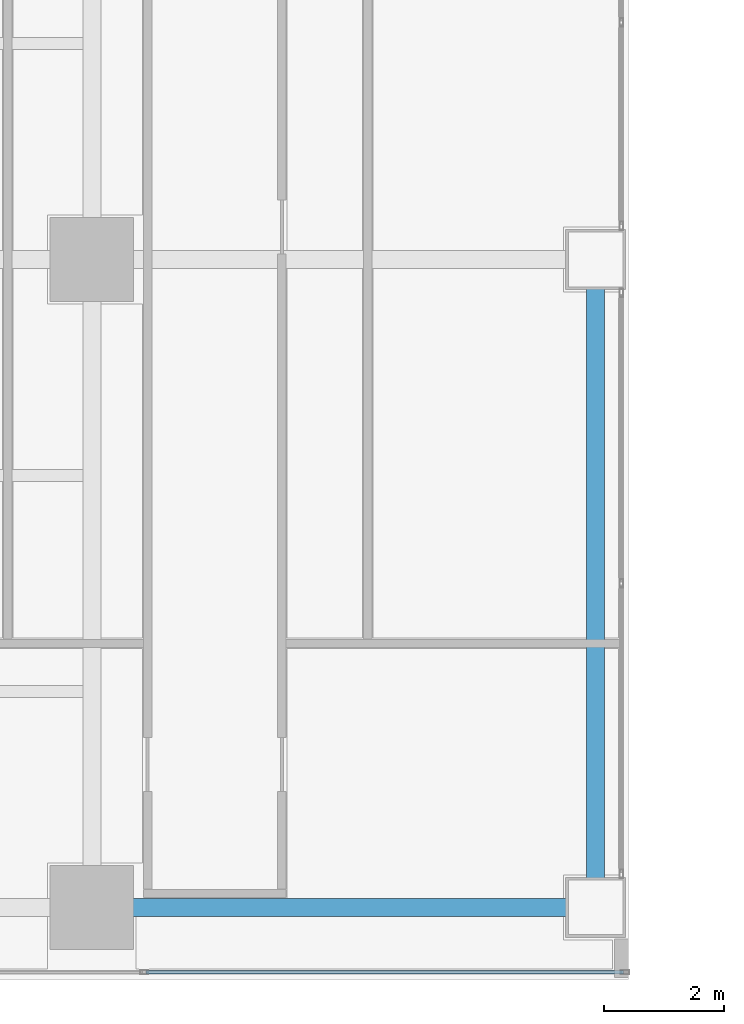
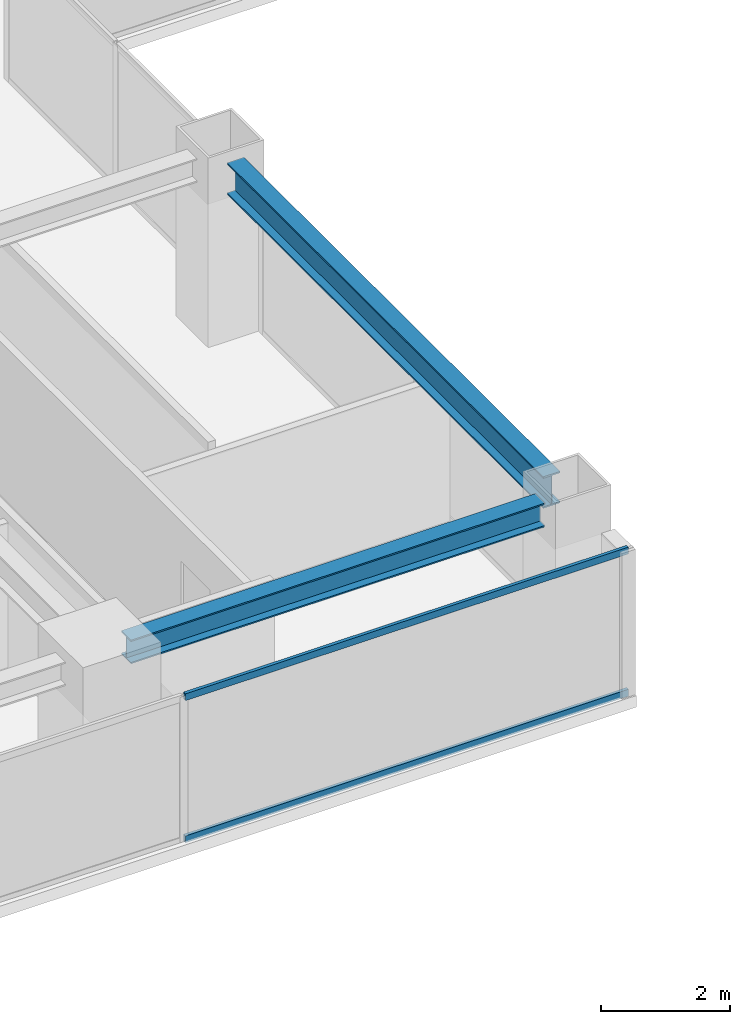
# One storey, part 3 of 29: 2 beams, 2 members, 1 element without a shape of its own.
"""IFC4 building model written with IfcOpenShell, lengths in metres."""

from ifc_helpers import new_model, si_unit, direction, frame, origin, origin_2d, place, context, subcontext, project, spatial, hollow_rectangle, i_section, extrude, source, transform, mapped, material, layer, layer_set, material_profile, profile_set, type_object, element, aggregate, save


model = new_model("IFC4")

# Units and contexts
model_context = context("Model", 3, precision=1e-05, world=origin(), true_north=direction((0.0, 1.0)))
body_context = subcontext(model_context, "Body", "Model", "MODEL_VIEW")
ifc_project = project(units=[si_unit("LENGTHUNIT", "METRE"), si_unit("AREAUNIT", "SQUARE_METRE"), si_unit("VOLUMEUNIT", "CUBIC_METRE"), si_unit("PLANEANGLEUNIT", "RADIAN"), si_unit("MASSUNIT", "GRAM", prefix="KILO")], contexts=[model_context])

# Site, building, storey
site_placement = place(None, origin())
site = spatial("IfcSite", under=ifc_project, at=site_placement, CompositionType="ELEMENT")
building_placement = place(site_placement, origin())
building = spatial("IfcBuilding", under=site, at=building_placement, Name="Sumidabori Civic Tower", CompositionType="ELEMENT")
storey_placement = place(building_placement, frame((0.0, 0.0, 203.60009765625)))
storey = spatial("IfcBuildingStorey", under=building, at=storey_placement, Name="L52", CompositionType="ELEMENT", Elevation=203.60009765625)

# Beams
ifc_material_1 = material(Name="Steel SN490", Category="steel")
ifc_material_profile_1 = material_profile(ifc_material_1, i_section(OverallWidth=0.300048828125, OverallDepth=0.60009765625, WebThickness=0.015380859375, FlangeThickness=0.030029296875, at=origin_2d()), Name="HE 600 B")
ifc_profile_set_1 = profile_set([ifc_material_profile_1], Name="Steel SN490")
beam_type_1 = type_object("IfcBeamType", Name="BM-GIRD-600", PredefinedType="BEAM", material=ifc_profile_set_1)
shared_shape_1 = source(origin(), body_context, "Body", "SweptSolid", [
    extrude(i_section(OverallWidth=0.300048828125, OverallDepth=0.60009765625, WebThickness=0.015380859375, FlangeThickness=0.030029296875, at=origin_2d()), origin(), (0.0, 0.0, 1.0), 9.840087890625),
])
beam_1_placement = place(storey_placement, frame((-8.39990234375, -10.320068359375, 3.079833984375), z_axis=(0.0, 1.0, 0.0), x_axis=(-1.0, 0.0, 0.0)))
element("IfcBeam", 1, at=beam_1_placement, inside=storey, type_object=beam_type_1, Name="Primary Girder L52 GY-17", PredefinedType="BEAM", context=body_context, shape_type="MappedRepresentation", body=[
    mapped(shared_shape_1, transform((0.0, 0.0, 0.0), x_axis=(1.0, 0.0, 0.0), y_axis=(0.0, 1.0, 0.0), z_axis=(0.0, 0.0, 1.0), scale=1.0)),
])
ifc_material_profile_2 = material_profile(ifc_material_1, i_section(OverallWidth=0.300048828125, OverallDepth=0.449951171875, WebThickness=0.013916015625, FlangeThickness=0.02587890625, at=origin_2d()), Name="HE 450 B")
ifc_profile_set_2 = profile_set([ifc_material_profile_2], Name="Steel SN490")
beam_type_2 = type_object("IfcBeamType", Name="BM-GIRD-450", PredefinedType="BEAM", material=ifc_profile_set_2)
shared_shape_2 = source(origin(), body_context, "Body", "SweptSolid", [
    extrude(i_section(OverallWidth=0.300048828125, OverallDepth=0.449951171875, WebThickness=0.013916015625, FlangeThickness=0.02587890625, at=origin_2d()), origin(), (0.0, 0.0, 1.0), 7.440185546875),
])
beam_2_placement = place(storey_placement, frame((-16.320068359375, -10.800048828125, 3.15478515625), z_axis=(1.0, 0.0, 0.0), x_axis=(0.0, 1.0, 0.0)))
element("IfcBeam", 2, at=beam_2_placement, inside=storey, type_object=beam_type_2, Name="Primary Girder L52 GX-02", PredefinedType="BEAM", context=body_context, shape_type="MappedRepresentation", body=[
    mapped(shared_shape_2, transform((0.0, 0.0, 0.0), x_axis=(1.0, 0.0, 0.0), y_axis=(0.0, 1.0, 0.0), z_axis=(0.0, 0.0, 1.0), scale=1.0)),
])

# Curtain wall, members
ifc_material_2 = material(Name="Anodised Bronze Aluminium AW-6063-T6", Category="aluminium")
ifc_layer = layer(ifc_material_2, 0.179931640625, Name="Anodised Bronze Aluminium AW-6063-T6")
ifc_layer_set = layer_set([ifc_layer], Name="Anodised Bronze Aluminium AW-6063-T6")
curtain_wall_type = type_object("IfcCurtainWallType", Name="CW-SYS-5", PredefinedType="NOTDEFINED", material=ifc_layer_set)
curtain_wall_placement = place(storey_placement, origin())
curtain_wall = element("IfcCurtainWall", 3, at=curtain_wall_placement, inside=storey, type_object=curtain_wall_type, Name="Curtain Wall CW:L52:R01", PredefinedType="NOTDEFINED")
ifc_material_profile_3 = material_profile(ifc_material_2, hollow_rectangle(XDim=0.06005859375, YDim=0.1298828125, WallThickness=0.0048828125, at=origin_2d()), Name="ALU TRANSOM 130x60")
ifc_profile_set_3 = profile_set([ifc_material_profile_3], Name="Anodised Bronze Aluminium AW-6063-T6")
member_type = type_object("IfcMemberType", Name="CW-TRN-130", PredefinedType="USERDEFINED", material=ifc_profile_set_3)
shared_shape_3 = source(origin(), body_context, "Body", "SweptSolid", [
    extrude(hollow_rectangle(XDim=0.06005859375, YDim=0.1298828125, WallThickness=0.0048828125, at=origin_2d()), origin(), (0.0, 0.0, 1.0), 7.955078125),
])
member_1_placement = place(storey_placement, frame((-15.89501953125, -11.8798828125, 0.02978515625), z_axis=(1.0, 0.0, 0.0), x_axis=(0.0, 1.0, 0.0)))
member_1 = element("IfcMember", 4, at=member_1_placement, type_object=member_type, Name="CW-5 transom 2.1", ObjectType="TRANSOM", PredefinedType="USERDEFINED", context=body_context, shape_type="MappedRepresentation", body=[
    mapped(shared_shape_3, transform((0.0, 0.0, 0.0), x_axis=(1.0, 0.0, 0.0), y_axis=(0.0, 1.0, 0.0), z_axis=(0.0, 0.0, 1.0), scale=1.0)),
])
member_2_placement = place(storey_placement, frame((-15.89501953125, -11.8798828125, 2.72998046875), z_axis=(1.0, 0.0, 0.0), x_axis=(0.0, 1.0, 0.0)))
member_2 = element("IfcMember", 5, at=member_2_placement, type_object=member_type, Name="CW-5 transom 2.2", ObjectType="TRANSOM", PredefinedType="USERDEFINED", context=body_context, shape_type="MappedRepresentation", body=[
    mapped(shared_shape_3, transform((0.0, 0.0, 0.0), x_axis=(1.0, 0.0, 0.0), y_axis=(0.0, 1.0, 0.0), z_axis=(0.0, 0.0, 1.0), scale=1.0)),
])
aggregate(curtain_wall, [member_1, member_2])

save(model, "model.ifc")
